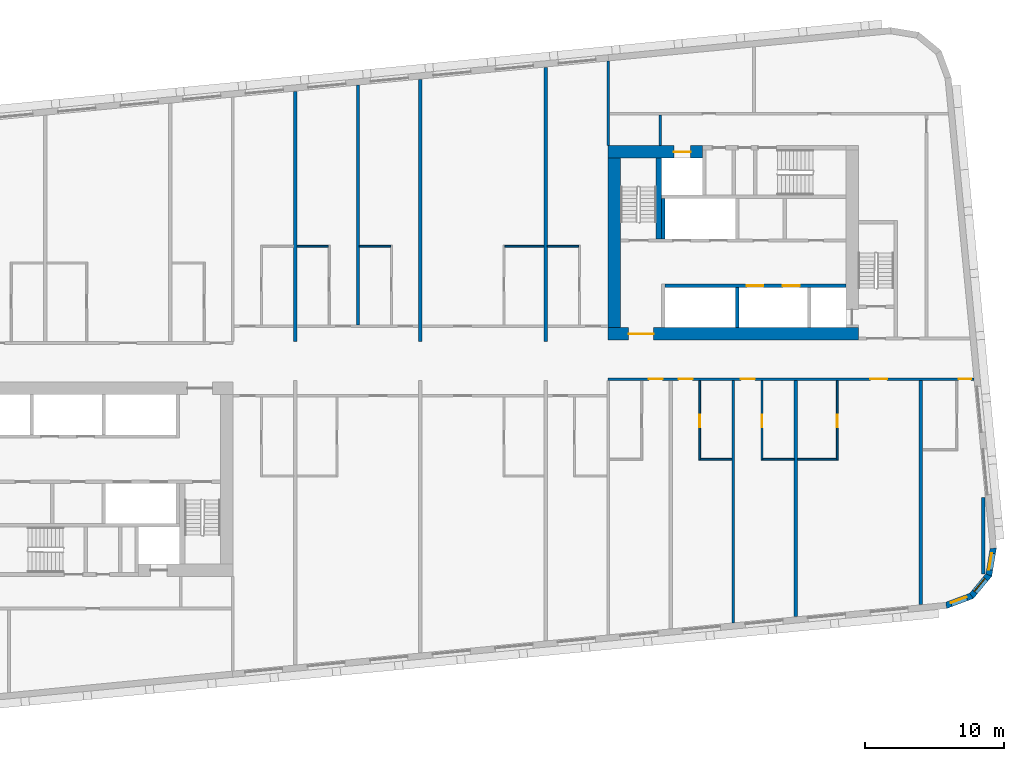
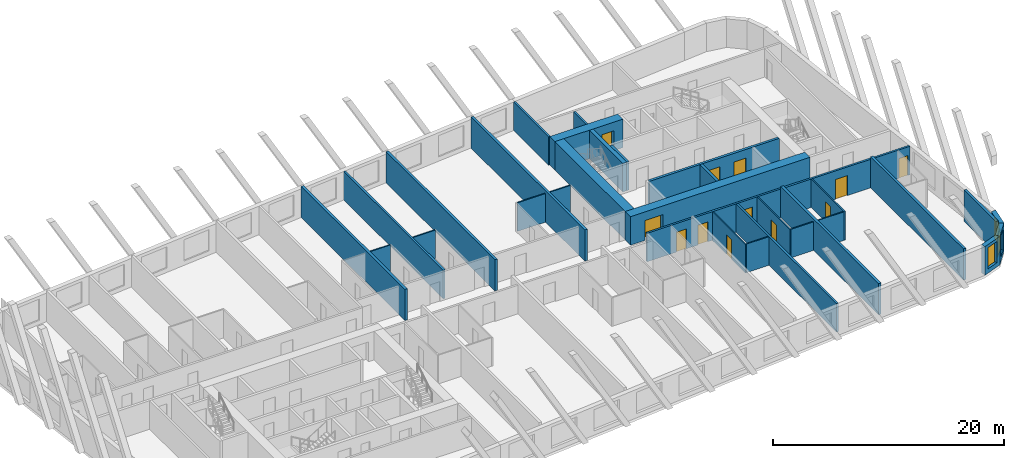
# One storey, part 6 of 13: 31 walls, 12 doors, 3 windows, 15 openings.
"""IFC4 building model written with IfcOpenShell, lengths in metres."""

from ifc_helpers import new_model, si_unit, direction, frame, frame_2d, origin, place, context, subcontext, project, spatial, polyline, rectangle, outline, extrude, material, layer, layer_set, type_object, element, fill, save


model = new_model("IFC4")

# Units and contexts
model_context = context("Model", 3, precision=1e-05, world=origin(), true_north=direction((0.0, 1.0)))
body_context = subcontext(model_context, "Body", "Model", "MODEL_VIEW")
ifc_project = project(units=[si_unit("LENGTHUNIT", "METRE"), si_unit("AREAUNIT", "SQUARE_METRE"), si_unit("VOLUMEUNIT", "CUBIC_METRE"), si_unit("PLANEANGLEUNIT", "RADIAN"), si_unit("MASSUNIT", "GRAM", prefix="KILO")], contexts=[model_context])

# Site, building, storey
site_placement = place(None, origin())
site = spatial("IfcSite", under=ifc_project, at=site_placement, CompositionType="ELEMENT")
building_placement = place(site_placement, origin())
building = spatial("IfcBuilding", under=site, at=building_placement, Name="Kajstack Hotel Tower", CompositionType="ELEMENT")
storey_placement = place(building_placement, frame((0.0, 0.0, 166.89990234375)))
storey = spatial("IfcBuildingStorey", under=building, at=storey_placement, Name="L38", CompositionType="ELEMENT", Elevation=166.89990234375)

# Wall, opening, door
ifc_material_1 = material(Name="Concrete C60/75", Category="concrete")
ifc_layer_1 = layer(ifc_material_1, 0.89990234375)
ifc_layer_set_1 = layer_set([ifc_layer_1], Name="Core wall 900")
wall_type_1 = type_object("IfcWallType", Name="Core wall 900", PredefinedType="SHEAR", material=ifc_layer_set_1)
wall_1_placement = place(storey_placement, frame((13.5, 1.949951171875, 0.0), z_axis=(0.0, 0.0, 1.0), x_axis=(1.0, 0.0, 0.0)))
wall_1 = element("IfcWall", 1, at=wall_1_placement, inside=storey, type_object=wall_type_1, Name="Core wall E RN", PredefinedType="SHEAR", context=body_context, shape_type="SweptSolid", body=[
    extrude(rectangle(XDim=18.0, YDim=0.89990234375, at=frame_2d((9.0, 0.0))), origin(), (0.0, 0.0, 1.0), 3.02001953125),
])
opening_1_placement = place(wall_1_placement, frame((1.47509765625, 0.0, 0.0)))
opening_1 = element("IfcOpeningElement", 2, at=opening_1_placement, cuts=wall_1, Name="Opening 38E07", PredefinedType="OPENING", context=body_context, shape_type="SweptSolid", body=[
    extrude(rectangle(XDim=1.800048828125, YDim=2.10009765625, at=frame_2d((0.89990234375, 1.050048828125))), frame((0.0, 0.4599609375, 0.0), z_axis=(0.0, -1.0, 0.0), x_axis=(1.0, 0.0, 0.0)), (0.0, 0.0, 1.0), 0.919921875),
])
ifc_material_2 = material(Name="Glazed steel frame, fire-rated glass", Category="steel")
door_type_1 = type_object("IfcDoorType", Name="Lobby double door 1800", OperationType="DOUBLE_DOOR_DOUBLE_SWING", PredefinedType="DOOR", material=ifc_material_2)
door_1_placement = place(opening_1_placement, origin())
door_1 = element("IfcDoor", 3, at=door_1_placement, inside=storey, type_object=door_type_1, Name="Door 38E07", OperationType="DOUBLE_DOOR_DOUBLE_SWING", OverallHeight=2.10009765625, OverallWidth=1.800048828125, PredefinedType="DOOR", context=body_context, shape_type="SweptSolid", body=[
    extrude(rectangle(XDim=1.800048828125, YDim=2.10009765625, at=frame_2d((0.89990234375, 1.050048828125))), frame((0.0, 0.02490234375, 0.0), z_axis=(0.0, -1.0, 0.0), x_axis=(1.0, 0.0, 0.0)), (0.0, 0.0, 1.0), 0.050048828125),
])
fill(opening_1, door_1)

wall_2_placement = place(storey_placement, frame((13.5, 15.050048828125, 0.0), z_axis=(0.0, 0.0, 1.0), x_axis=(1.0, 0.0, 0.0)))
wall_2 = element("IfcWall", 4, at=wall_2_placement, inside=storey, type_object=wall_type_1, Name="Core wall E RS", PredefinedType="SHEAR", context=body_context, shape_type="SweptSolid", body=[
    extrude(rectangle(XDim=6.800048828125, YDim=0.89990234375, at=frame_2d((3.39990234375, 0.0))), origin(), (0.0, 0.0, 1.0), 3.02001953125),
])
opening_2_placement = place(wall_2_placement, frame((4.72509765625, 0.0, 0.0)))
opening_2 = element("IfcOpeningElement", 5, at=opening_2_placement, cuts=wall_2, Name="Opening LD-SV2", PredefinedType="OPENING", context=body_context, shape_type="SweptSolid", body=[
    extrude(rectangle(XDim=1.199951171875, YDim=2.10009765625, at=frame_2d((0.60009765625, 1.050048828125))), frame((0.0, 0.4599609375, 0.0), z_axis=(0.0, -1.0, 0.0), x_axis=(1.0, 0.0, 0.0)), (0.0, 0.0, 1.0), 0.919921875),
])
ifc_material_3 = material(Name="Stainless steel", Category="steel")
door_type_2 = type_object("IfcDoorType", Name="Lift landing door 1200", OperationType="SLIDING_TO_LEFT", PredefinedType="DOOR", material=ifc_material_3)
door_2_placement = place(opening_2_placement, origin())
door_2 = element("IfcDoor", 6, at=door_2_placement, inside=storey, type_object=door_type_2, Name="Landing door SV2", OperationType="SLIDING_TO_LEFT", OverallHeight=2.10009765625, OverallWidth=1.199951171875, PredefinedType="DOOR", context=body_context, shape_type="SweptSolid", body=[
    extrude(rectangle(XDim=1.199951171875, YDim=2.10009765625, at=frame_2d((0.60009765625, 1.050048828125))), frame((0.0, 0.02490234375, 0.0), z_axis=(0.0, -1.0, 0.0), x_axis=(1.0, 0.0, 0.0)), (0.0, 0.0, 1.0), 0.050048828125),
])
fill(opening_2, door_2)

# Wall
wall_3_placement = place(storey_placement, frame((13.949951171875, 2.39990234375, 0.0), z_axis=(0.0, 0.0, 1.0), x_axis=(0.0, 1.0, 0.0)))
element("IfcWall", 7, at=wall_3_placement, inside=storey, type_object=wall_type_1, Name="Core wall E RE", PredefinedType="SHEAR", context=body_context, shape_type="SweptSolid", body=[
    extrude(rectangle(XDim=12.2001953125, YDim=0.89990234375, at=frame_2d((6.10009765625, 0.0))), origin(), (0.0, 0.0, 1.0), 3.02001953125),
])

# Wall, openings, doors
ifc_material_4 = material(Name="Gypsum board on steel studs, mineral wool", Category="steel")
ifc_layer_2 = layer(ifc_material_4, 0.199951171875)
ifc_layer_set_2 = layer_set([ifc_layer_2], Name="Corridor wall 200")
wall_type_2 = type_object("IfcWallType", Name="Corridor wall 200", PredefinedType="PARTITIONING", material=ifc_layer_set_2)
wall_4_placement = place(storey_placement, frame((13.5, -1.300048828125, 0.0), z_axis=(0.0, 0.0, 1.0), x_axis=(1.0, 0.0, 0.0)))
wall_4 = element("IfcWall", 8, at=wall_4_placement, inside=storey, type_object=wall_type_2, Name="G-wall-L38-032", PredefinedType="PARTITIONING", context=body_context, shape_type="SweptSolid", body=[
    extrude(rectangle(XDim=26.31689453125, YDim=0.199951171875, at=frame_2d((13.158447265625, 0.0))), origin(), (0.0, 0.0, 1.0), 3.02001953125),
])
opening_3_placement = place(wall_4_placement, frame((2.925048828125, 0.0, 0.0)))
opening_3 = element("IfcOpeningElement", 9, at=opening_3_placement, cuts=wall_4, Name="Opening 38031", PredefinedType="OPENING", context=body_context, shape_type="SweptSolid", body=[
    extrude(rectangle(XDim=1.0, YDim=2.10009765625, at=frame_2d((0.5, 1.050048828125))), frame((0.0, 0.10986328125, 0.0), z_axis=(0.0, -1.0, 0.0), x_axis=(1.0, 0.0, 0.0)), (0.0, 0.0, 1.0), 0.219970703125),
])
opening_4_placement = place(wall_4_placement, frame((5.074951171875, 0.0, 0.0)))
opening_4 = element("IfcOpeningElement", 10, at=opening_4_placement, cuts=wall_4, Name="Opening 38033", PredefinedType="OPENING", context=body_context, shape_type="SweptSolid", body=[
    extrude(rectangle(XDim=1.0, YDim=2.10009765625, at=frame_2d((0.5, 1.050048828125))), frame((0.0, 0.10986328125, 0.0), z_axis=(0.0, -1.0, 0.0), x_axis=(1.0, 0.0, 0.0)), (0.0, 0.0, 1.0), 0.219970703125),
])
opening_5_placement = place(wall_4_placement, frame((9.550048828125, 0.0, 0.0)))
opening_5 = element("IfcOpeningElement", 11, at=opening_5_placement, cuts=wall_4, Name="Opening 38035", PredefinedType="OPENING", context=body_context, shape_type="SweptSolid", body=[
    extrude(rectangle(XDim=1.0, YDim=2.10009765625, at=frame_2d((0.5, 1.050048828125))), frame((0.0, 0.10986328125, 0.0), z_axis=(0.0, -1.0, 0.0), x_axis=(1.0, 0.0, 0.0)), (0.0, 0.0, 1.0), 0.219970703125),
])
opening_6_placement = place(wall_4_placement, frame((18.862060546875, 0.0, 0.0)))
opening_6 = element("IfcOpeningElement", 12, at=opening_6_placement, cuts=wall_4, Name="Opening 38037", PredefinedType="OPENING", context=body_context, shape_type="SweptSolid", body=[
    extrude(rectangle(XDim=1.199951171875, YDim=2.10009765625, at=frame_2d((0.60009765625, 1.050048828125))), frame((0.0, 0.10986328125, 0.0), z_axis=(0.0, -1.0, 0.0), x_axis=(1.0, 0.0, 0.0)), (0.0, 0.0, 1.0), 0.219970703125),
])
opening_7_placement = place(wall_4_placement, frame((25.2080078125, 0.0, 0.0)))
opening_7 = element("IfcOpeningElement", 13, at=opening_7_placement, cuts=wall_4, Name="Opening 38039", PredefinedType="OPENING", context=body_context, shape_type="SweptSolid", body=[
    extrude(rectangle(XDim=0.89990234375, YDim=2.10009765625, at=frame_2d((0.449951171875, 1.050048828125))), frame((0.0, 0.10986328125, 0.0), z_axis=(0.0, -1.0, 0.0), x_axis=(1.0, 0.0, 0.0)), (0.0, 0.0, 1.0), 0.219970703125),
])
ifc_material_5 = material(Name="Oak veneer on timber core, fire-rated leaf", Category="wood")
door_type_3 = type_object("IfcDoorType", Name="Flat entrance door 1000", OperationType="SINGLE_SWING_LEFT", PredefinedType="DOOR", material=ifc_material_5)
door_3_placement = place(opening_3_placement, origin())
door_3 = element("IfcDoor", 14, at=door_3_placement, inside=storey, type_object=door_type_3, Name="G-door-L38-31", OperationType="SINGLE_SWING_LEFT", OverallHeight=2.10009765625, OverallWidth=1.0, PredefinedType="DOOR", context=body_context, shape_type="SweptSolid", body=[
    extrude(rectangle(XDim=1.0, YDim=2.10009765625, at=frame_2d((0.5, 1.050048828125))), frame((0.0, 0.02490234375, 0.0), z_axis=(0.0, -1.0, 0.0), x_axis=(1.0, 0.0, 0.0)), (0.0, 0.0, 1.0), 0.050048828125),
])
fill(opening_3, door_3)
door_4_placement = place(opening_4_placement, origin())
door_4 = element("IfcDoor", 15, at=door_4_placement, inside=storey, type_object=door_type_3, Name="G-door-L38-33", OperationType="SINGLE_SWING_LEFT", OverallHeight=2.10009765625, OverallWidth=1.0, PredefinedType="DOOR", context=body_context, shape_type="SweptSolid", body=[
    extrude(rectangle(XDim=1.0, YDim=2.10009765625, at=frame_2d((0.5, 1.050048828125))), frame((0.0, 0.02490234375, 0.0), z_axis=(0.0, -1.0, 0.0), x_axis=(1.0, 0.0, 0.0)), (0.0, 0.0, 1.0), 0.050048828125),
])
fill(opening_4, door_4)
door_5_placement = place(opening_5_placement, origin())
door_5 = element("IfcDoor", 16, at=door_5_placement, inside=storey, type_object=door_type_3, Name="G-door-L38-35", OperationType="SINGLE_SWING_LEFT", OverallHeight=2.10009765625, OverallWidth=1.0, PredefinedType="DOOR", context=body_context, shape_type="SweptSolid", body=[
    extrude(rectangle(XDim=1.0, YDim=2.10009765625, at=frame_2d((0.5, 1.050048828125))), frame((0.0, 0.02490234375, 0.0), z_axis=(0.0, -1.0, 0.0), x_axis=(1.0, 0.0, 0.0)), (0.0, 0.0, 1.0), 0.050048828125),
])
fill(opening_5, door_5)
door_type_4 = type_object("IfcDoorType", Name="Flat entrance door 1200", OperationType="SINGLE_SWING_LEFT", PredefinedType="DOOR", material=ifc_material_5)
door_6_placement = place(opening_6_placement, origin())
door_6 = element("IfcDoor", 17, at=door_6_placement, inside=storey, type_object=door_type_4, Name="G-door-L38-37", OperationType="SINGLE_SWING_LEFT", OverallHeight=2.10009765625, OverallWidth=1.199951171875, PredefinedType="DOOR", context=body_context, shape_type="SweptSolid", body=[
    extrude(rectangle(XDim=1.199951171875, YDim=2.10009765625, at=frame_2d((0.60009765625, 1.050048828125))), frame((0.0, 0.02490234375, 0.0), z_axis=(0.0, -1.0, 0.0), x_axis=(1.0, 0.0, 0.0)), (0.0, 0.0, 1.0), 0.050048828125),
])
fill(opening_6, door_6)
ifc_material_6 = material(Name="Painted timber door leaf", Category="wood")
door_type_5 = type_object("IfcDoorType", Name="Room door 900", OperationType="SINGLE_SWING_LEFT", PredefinedType="DOOR", material=ifc_material_6)
door_7_placement = place(opening_7_placement, origin())
door_7 = element("IfcDoor", 18, at=door_7_placement, inside=storey, type_object=door_type_5, Name="G-door-L38-39", OperationType="SINGLE_SWING_LEFT", OverallHeight=2.10009765625, OverallWidth=0.89990234375, PredefinedType="DOOR", context=body_context, shape_type="SweptSolid", body=[
    extrude(rectangle(XDim=0.89990234375, YDim=2.10009765625, at=frame_2d((0.449951171875, 1.050048828125))), frame((0.0, 0.02490234375, 0.0), z_axis=(0.0, -1.0, 0.0), x_axis=(1.0, 0.0, 0.0)), (0.0, 0.0, 1.0), 0.050048828125),
])
fill(opening_7, door_7)

# Walls
ifc_material_7 = material(Name="Twin-frame gypsum board on steel studs, mineral wool", Category="steel")
ifc_layer_3 = layer(ifc_material_7, 0.199951171875)
ifc_layer_set_3 = layer_set([ifc_layer_3], Name="Demising wall 200")
wall_type_3 = type_object("IfcWallType", Name="Demising wall 200", PredefinedType="PARTITIONING", material=ifc_layer_set_3)
wall_5_placement = place(storey_placement, frame((13.5, 15.5, 0.0), z_axis=(0.0, 0.0, 1.0), x_axis=(0.0, 1.0, 0.0)))
element("IfcWall", 19, at=wall_5_placement, inside=storey, type_object=wall_type_3, Name="G-wall-L38-001", PredefinedType="PARTITIONING", context=body_context, shape_type="SweptSolid", body=[
    extrude(rectangle(XDim=6.089111328125, YDim=0.199951171875, at=frame_2d((3.04443359375, 0.0))), origin(), (0.0, 0.0, 1.0), 3.02001953125),
])
wall_6_placement = place(storey_placement, frame((-4.5, 2.60009765625, 0.0), z_axis=(0.0, 0.0, 1.0), x_axis=(0.0, 1.0, 0.0)))
element("IfcWall", 20, at=wall_6_placement, inside=storey, type_object=wall_type_3, Name="G-wall-L38-022", PredefinedType="PARTITIONING", context=body_context, shape_type="SweptSolid", body=[
    extrude(rectangle(XDim=17.255859375, YDim=0.199951171875, at=frame_2d((8.6279296875, 0.0))), origin(), (0.0, 0.0, 1.0), 3.02001953125),
])
wall_7_placement = place(storey_placement, frame((22.5, -18.833984375, 0.0), z_axis=(0.0, 0.0, 1.0), x_axis=(0.0, 1.0, 0.0)))
element("IfcWall", 21, at=wall_7_placement, inside=storey, type_object=wall_type_3, Name="G-wall-L38-044", PredefinedType="PARTITIONING", context=body_context, shape_type="SweptSolid", body=[
    extrude(rectangle(XDim=17.43408203125, YDim=0.199951171875, at=frame_2d((8.717041015625, 0.0))), origin(), (0.0, 0.0, 1.0), 3.02001953125),
])

# Wall, opening, window
ifc_material_8 = material(Name="Terracotta-faced brick masonry", Category="masonry")
ifc_layer_4 = layer(ifc_material_8, 0.449951171875)
ifc_layer_set_4 = layer_set([ifc_layer_4], Name="EW-TERRA")
wall_type_4 = type_object("IfcWallType", Name="EW-TERRA", PredefinedType="SOLIDWALL", material=ifc_layer_set_4)
wall_8_placement = place(storey_placement, frame((37.76123046875, -17.598388671875, 0.0), z_axis=(0.0, 0.0, 1.0), x_axis=(0.936677599948, 0.350192909346, 0.0)))
wall_8 = element("IfcWall", 22, at=wall_8_placement, inside=storey, type_object=wall_type_4, Name="E-wall-L38-05-00", PredefinedType="SOLIDWALL", context=body_context, shape_type="SweptSolid", body=[
    extrude(outline(polyline([(0.0, -0.22509765625), (2.070556640625, -0.224853515625), (1.949951171875, 0.22509765625), (0.12060546875, 0.22509765625), (0.0, -0.22509765625)])), origin(), (0.0, 0.0, 1.0), 3.02001953125),
])
opening_8_placement = place(wall_8_placement, frame((0.435302734375, 0.0, 0.449951171875)))
opening_8 = element("IfcOpeningElement", 23, at=opening_8_placement, cuts=wall_8, Name="Opening W3", PredefinedType="OPENING", context=body_context, shape_type="SweptSolid", body=[
    extrude(rectangle(XDim=1.199951171875, YDim=2.25, at=frame_2d((0.60009765625, 1.125))), frame((0.0, 0.23486328125, 0.0), z_axis=(0.0, -1.0, 0.0), x_axis=(1.0, 0.0, 0.0)), (0.0, 0.0, 1.0), 0.469970703125),
])
ifc_material_9 = material(Name="Timber-aluminium window, triple glazed", Category="wood")
window_type = type_object("IfcWindowType", Name="WG3", PartitioningType="SINGLE_PANEL", PredefinedType="WINDOW", material=ifc_material_9)
window_1_placement = place(opening_8_placement, origin())
window_1 = element("IfcWindow", 24, at=window_1_placement, inside=storey, type_object=window_type, Name="Window W3 L38-05", OverallHeight=2.25, OverallWidth=1.199951171875, PartitioningType="SINGLE_PANEL", PredefinedType="WINDOW", context=body_context, shape_type="SweptSolid", body=[
    extrude(rectangle(XDim=1.199951171875, YDim=2.25, at=frame_2d((0.60009765625, 1.125))), frame((0.0, 0.090087890625, 0.0), z_axis=(0.0, -1.0, 0.0), x_axis=(1.0, 0.0, 0.0)), (0.0, 0.0, 1.0), 0.06005859375),
])
fill(opening_8, window_1)

wall_9_placement = place(storey_placement, frame((39.60595703125, -16.94091796875, 0.0), z_axis=(0.0, 0.0, 1.0), x_axis=(0.636116318187, 0.771593176315, 0.0)))
wall_9 = element("IfcWall", 25, at=wall_9_placement, inside=storey, type_object=wall_type_4, Name="E-wall-L38-06-00", PredefinedType="SOLIDWALL", context=body_context, shape_type="SweptSolid", body=[
    extrude(outline(polyline([(0.0, -0.224853515625), (2.070556640625, -0.224853515625), (1.949951171875, 0.22509765625), (0.12060546875, 0.22509765625), (0.0, -0.224853515625)])), origin(), (0.0, 0.0, 1.0), 3.02001953125),
])
opening_9_placement = place(wall_9_placement, frame((0.435302734375, 0.0, 0.449951171875)))
opening_9 = element("IfcOpeningElement", 26, at=opening_9_placement, cuts=wall_9, Name="Opening W3", PredefinedType="OPENING", context=body_context, shape_type="SweptSolid", body=[
    extrude(rectangle(XDim=1.199951171875, YDim=2.25, at=frame_2d((0.60009765625, 1.125))), frame((0.0, 0.23486328125, 0.0), z_axis=(0.0, -1.0, 0.0), x_axis=(1.0, 0.0, 0.0)), (0.0, 0.0, 1.0), 0.469970703125),
])
window_2_placement = place(opening_9_placement, origin())
window_2 = element("IfcWindow", 27, at=window_2_placement, inside=storey, type_object=window_type, Name="Window W3 L38-06", OverallHeight=2.25, OverallWidth=1.199951171875, PartitioningType="SINGLE_PANEL", PredefinedType="WINDOW", context=body_context, shape_type="SweptSolid", body=[
    extrude(rectangle(XDim=1.199951171875, YDim=2.25, at=frame_2d((0.60009765625, 1.125))), frame((0.0, 0.090087890625, 0.0), z_axis=(0.0, -1.0, 0.0), x_axis=(1.0, 0.0, 0.0)), (0.0, 0.0, 1.0), 0.06005859375),
])
fill(opening_9, window_2)

wall_10_placement = place(storey_placement, frame((40.874755859375, -15.44921875, 0.0), z_axis=(0.0, 0.0, 1.0), x_axis=(0.164953448126, 0.986301353518, 0.0)))
wall_10 = element("IfcWall", 28, at=wall_10_placement, inside=storey, type_object=wall_type_4, Name="E-wall-L38-07-00", PredefinedType="SOLIDWALL", context=body_context, shape_type="SweptSolid", body=[
    extrude(outline(polyline([(0.0, -0.224853515625), (2.070556640625, -0.22509765625), (1.9501953125, 0.224853515625), (0.12060546875, 0.22509765625), (0.0, -0.224853515625)])), origin(), (0.0, 0.0, 1.0), 3.02001953125),
])
opening_10_placement = place(wall_10_placement, frame((0.435302734375, 0.0, 0.449951171875)))
opening_10 = element("IfcOpeningElement", 29, at=opening_10_placement, cuts=wall_10, Name="Opening W3", PredefinedType="OPENING", context=body_context, shape_type="SweptSolid", body=[
    extrude(rectangle(XDim=1.199951171875, YDim=2.25, at=frame_2d((0.60009765625, 1.125))), frame((0.0, 0.23486328125, 0.0), z_axis=(0.0, -1.0, 0.0), x_axis=(1.0, 0.0, 0.0)), (0.0, 0.0, 1.0), 0.469970703125),
])
window_3_placement = place(opening_10_placement, origin())
window_3 = element("IfcWindow", 30, at=window_3_placement, inside=storey, type_object=window_type, Name="Window W3 L38-07", OverallHeight=2.25, OverallWidth=1.199951171875, PartitioningType="SINGLE_PANEL", PredefinedType="WINDOW", context=body_context, shape_type="SweptSolid", body=[
    extrude(rectangle(XDim=1.199951171875, YDim=2.25, at=frame_2d((0.60009765625, 1.125))), frame((0.0, 0.090087890625, 0.0), z_axis=(0.0, -1.0, 0.0), x_axis=(1.0, 0.0, 0.0)), (0.0, 0.0, 1.0), 0.06005859375),
])
fill(opening_10, window_3)

# Walls
ifc_material_10 = material(Name="Gypsum board and tiled backer on steel studs", Category="steel")
ifc_layer_5 = layer(ifc_material_10, 0.125)
ifc_layer_set_5 = layer_set([ifc_layer_5], Name="En-suite wall 125")
wall_type_5 = type_object("IfcWallType", Name="En-suite wall 125", PredefinedType="PARTITIONING", material=ifc_layer_set_5)
for number, where, z_axis, x_axis, name in (
    (31, (-8.875, 8.261962890625, 0.0), (0.0, 0.0, 1.0), (1.0, 0.0, 0.0), "G-wall-L38-024"),
    (32, (-4.39990234375, 8.261962890625, 0.0), (0.0, 0.0, 1.0), (1.0, 0.0, 0.0), "G-wall-L38-026"),
):
    element("IfcWall", number, at=place(storey_placement, frame(where, z_axis=z_axis, x_axis=x_axis)), inside=storey, type_object=wall_type_5, Name=name, PredefinedType="PARTITIONING", context=body_context, shape_type="SweptSolid", body=[
        extrude(rectangle(XDim=2.25, YDim=0.125, at=frame_2d((1.125, 0.0))), origin(), (0.0, 0.0, 1.0), 3.02001953125),
    ])
wall_11_placement = place(storey_placement, frame((6.074951171875, 8.261962890625, 0.0), z_axis=(0.0, 0.0, 1.0), x_axis=(1.0, 0.0, 0.0)))
element("IfcWall", 33, at=wall_11_placement, inside=storey, type_object=wall_type_5, Name="G-wall-L38-028", PredefinedType="PARTITIONING", context=body_context, shape_type="SweptSolid", body=[
    extrude(rectangle(XDim=2.800048828125, YDim=0.125, at=frame_2d((1.39990234375, 0.0))), origin(), (0.0, 0.0, 1.0), 3.02001953125),
])
wall_12_placement = place(storey_placement, frame((9.125, 8.261962890625, 0.0), z_axis=(0.0, 0.0, 1.0), x_axis=(1.0, 0.0, 0.0)))
element("IfcWall", 34, at=wall_12_placement, inside=storey, type_object=wall_type_5, Name="G-wall-L38-030", PredefinedType="PARTITIONING", context=body_context, shape_type="SweptSolid", body=[
    extrude(rectangle(XDim=2.25, YDim=0.125, at=frame_2d((1.125, 0.0))), origin(), (0.0, 0.0, 1.0), 3.02001953125),
])

# Wall, opening, door
wall_13_placement = place(storey_placement, frame((20.0869140625, -7.125, 0.0), z_axis=(0.0, 0.0, 1.0), x_axis=(0.0, 1.0, 0.0)))
wall_13 = element("IfcWall", 35, at=wall_13_placement, inside=storey, type_object=wall_type_5, Name="G-wall-L38-045", PredefinedType="PARTITIONING", context=body_context, shape_type="SweptSolid", body=[
    extrude(rectangle(XDim=5.72509765625, YDim=0.125, at=frame_2d((2.862548828125, 0.0))), origin(), (0.0, 0.0, 1.0), 3.02001953125),
])
opening_11_placement = place(wall_13_placement, frame((2.375, 0.0, 0.0)))
opening_11 = element("IfcOpeningElement", 36, at=opening_11_placement, cuts=wall_13, Name="Opening 38034", PredefinedType="OPENING", context=body_context, shape_type="SweptSolid", body=[
    extrude(rectangle(XDim=0.89990234375, YDim=2.10009765625, at=frame_2d((0.449951171875, 1.050048828125))), frame((0.0, 0.072509765625, 0.0), z_axis=(0.0, -1.0, 0.0), x_axis=(1.0, 0.0, 0.0)), (0.0, 0.0, 1.0), 0.14501953125),
])
door_8_placement = place(opening_11_placement, origin())
door_8 = element("IfcDoor", 37, at=door_8_placement, inside=storey, type_object=door_type_5, Name="G-door-L38-34", OperationType="SINGLE_SWING_RIGHT", OverallHeight=2.10009765625, OverallWidth=0.89990234375, PredefinedType="DOOR", context=body_context, shape_type="SweptSolid", body=[
    extrude(rectangle(XDim=0.89990234375, YDim=2.10009765625, at=frame_2d((0.449951171875, 1.050048828125))), frame((0.0, 0.02490234375, 0.0), z_axis=(0.0, -1.0, 0.0), x_axis=(1.0, 0.0, 0.0)), (0.0, 0.0, 1.0), 0.050048828125),
])
fill(opening_11, door_8)

# Wall
wall_14_placement = place(storey_placement, frame((20.14990234375, -7.06201171875, 0.0), z_axis=(0.0, 0.0, 1.0), x_axis=(1.0, 0.0, 0.0)))
element("IfcWall", 38, at=wall_14_placement, inside=storey, type_object=wall_type_5, Name="G-wall-L38-046", PredefinedType="PARTITIONING", context=body_context, shape_type="SweptSolid", body=[
    extrude(rectangle(XDim=2.25, YDim=0.125, at=frame_2d((1.125, 0.0))), origin(), (0.0, 0.0, 1.0), 3.02001953125),
])

# Wall, opening, door
wall_15_placement = place(storey_placement, frame((24.56201171875, -7.125, 0.0), z_axis=(0.0, 0.0, 1.0), x_axis=(0.0, 1.0, 0.0)))
wall_15 = element("IfcWall", 39, at=wall_15_placement, inside=storey, type_object=wall_type_5, Name="G-wall-L38-047", PredefinedType="PARTITIONING", context=body_context, shape_type="SweptSolid", body=[
    extrude(rectangle(XDim=5.72509765625, YDim=0.125, at=frame_2d((2.862548828125, 0.0))), origin(), (0.0, 0.0, 1.0), 3.02001953125),
])
opening_12_placement = place(wall_15_placement, frame((2.375, 0.0, 0.0)))
opening_12 = element("IfcOpeningElement", 40, at=opening_12_placement, cuts=wall_15, Name="Opening 38036", PredefinedType="OPENING", context=body_context, shape_type="SweptSolid", body=[
    extrude(rectangle(XDim=0.89990234375, YDim=2.10009765625, at=frame_2d((0.449951171875, 1.050048828125))), frame((0.0, 0.072509765625, 0.0), z_axis=(0.0, -1.0, 0.0), x_axis=(1.0, 0.0, 0.0)), (0.0, 0.0, 1.0), 0.14501953125),
])
door_9_placement = place(opening_12_placement, origin())
door_9 = element("IfcDoor", 41, at=door_9_placement, inside=storey, type_object=door_type_5, Name="G-door-L38-36", OperationType="SINGLE_SWING_LEFT", OverallHeight=2.10009765625, OverallWidth=0.89990234375, PredefinedType="DOOR", context=body_context, shape_type="SweptSolid", body=[
    extrude(rectangle(XDim=0.89990234375, YDim=2.10009765625, at=frame_2d((0.449951171875, 1.050048828125))), frame((0.0, 0.02490234375, 0.0), z_axis=(0.0, -1.0, 0.0), x_axis=(1.0, 0.0, 0.0)), (0.0, 0.0, 1.0), 0.050048828125),
])
fill(opening_12, door_9)

# Wall
wall_16_placement = place(storey_placement, frame((24.625, -7.06201171875, 0.0), z_axis=(0.0, 0.0, 1.0), x_axis=(1.0, 0.0, 0.0)))
element("IfcWall", 42, at=wall_16_placement, inside=storey, type_object=wall_type_5, Name="G-wall-L38-048", PredefinedType="PARTITIONING", context=body_context, shape_type="SweptSolid", body=[
    extrude(rectangle(XDim=2.25, YDim=0.125, at=frame_2d((1.125, 0.0))), origin(), (0.0, 0.0, 1.0), 3.02001953125),
])

# Wall, opening, door
wall_17_placement = place(storey_placement, frame((29.988037109375, -7.125, 0.0), z_axis=(0.0, 0.0, 1.0), x_axis=(0.0, 1.0, 0.0)))
wall_17 = element("IfcWall", 43, at=wall_17_placement, inside=storey, type_object=wall_type_5, Name="G-wall-L38-049", PredefinedType="PARTITIONING", context=body_context, shape_type="SweptSolid", body=[
    extrude(rectangle(XDim=5.72509765625, YDim=0.125, at=frame_2d((2.862548828125, 0.0))), origin(), (0.0, 0.0, 1.0), 3.02001953125),
])
opening_13_placement = place(wall_17_placement, frame((2.375, 0.0, 0.0)))
opening_13 = element("IfcOpeningElement", 44, at=opening_13_placement, cuts=wall_17, Name="Opening 38038", PredefinedType="OPENING", context=body_context, shape_type="SweptSolid", body=[
    extrude(rectangle(XDim=0.89990234375, YDim=2.10009765625, at=frame_2d((0.449951171875, 1.050048828125))), frame((0.0, 0.072509765625, 0.0), z_axis=(0.0, -1.0, 0.0), x_axis=(1.0, 0.0, 0.0)), (0.0, 0.0, 1.0), 0.14501953125),
])
door_10_placement = place(opening_13_placement, origin())
door_10 = element("IfcDoor", 45, at=door_10_placement, inside=storey, type_object=door_type_5, Name="G-door-L38-38", OperationType="SINGLE_SWING_LEFT", OverallHeight=2.10009765625, OverallWidth=0.89990234375, PredefinedType="DOOR", context=body_context, shape_type="SweptSolid", body=[
    extrude(rectangle(XDim=0.89990234375, YDim=2.10009765625, at=frame_2d((0.449951171875, 1.050048828125))), frame((0.0, 0.02490234375, 0.0), z_axis=(0.0, -1.0, 0.0), x_axis=(1.0, 0.0, 0.0)), (0.0, 0.0, 1.0), 0.050048828125),
])
fill(opening_13, door_10)

# Walls
wall_18_placement = place(storey_placement, frame((27.125, -7.06201171875, 0.0), z_axis=(0.0, 0.0, 1.0), x_axis=(1.0, 0.0, 0.0)))
element("IfcWall", 46, at=wall_18_placement, inside=storey, type_object=wall_type_5, Name="G-wall-L38-050", PredefinedType="PARTITIONING", context=body_context, shape_type="SweptSolid", body=[
    extrude(rectangle(XDim=2.800048828125, YDim=0.125, at=frame_2d((1.39990234375, 0.0))), origin(), (0.0, 0.0, 1.0), 3.02001953125),
])
ifc_material_11 = material(Name="Concrete C50/60", Category="concrete")
ifc_layer_6 = layer(ifc_material_11, 0.300048828125)
ifc_layer_set_6 = layer_set([ifc_layer_6], Name="Hoistway divider wall 300")
wall_type_6 = type_object("IfcWallType", Name="Hoistway divider wall 300", PredefinedType="SHEAR", material=ifc_layer_set_6)
wall_19_placement = place(storey_placement, frame((22.77490234375, 2.39990234375, 0.0), z_axis=(0.0, 0.0, 1.0), x_axis=(0.0, 1.0, 0.0)))
element("IfcWall", 47, at=wall_19_placement, inside=storey, type_object=wall_type_6, Name="Core wall E AP2", PredefinedType="SHEAR", context=body_context, shape_type="SweptSolid", body=[
    extrude(rectangle(XDim=2.900146484375, YDim=0.25, at=frame_2d((1.4501953125, 0.0))), origin(), (0.0, 0.0, 1.0), 3.02001953125),
])
ifc_layer_7 = layer(ifc_material_11, 0.25)
ifc_layer_set_7 = layer_set([ifc_layer_7], Name="RC cross wall 250 C50/60")
wall_type_7 = type_object("IfcWallType", Name="RC cross wall 250 C50/60", PredefinedType="SHEAR", material=ifc_layer_set_7)
wall_20_placement = place(storey_placement, frame((-9.0, 1.39990234375, 0.0), z_axis=(0.0, 0.0, 1.0), x_axis=(0.0, 1.0, 0.0)))
element("IfcWall", 48, at=wall_20_placement, inside=storey, type_object=wall_type_7, Name="S-wall-L38-05", PredefinedType="SHEAR", context=body_context, shape_type="SweptSolid", body=[
    extrude(rectangle(XDim=18.0009765625, YDim=0.25, at=frame_2d((9.00048828125, 0.0))), origin(), (0.0, 0.0, 1.0), 3.300048828125),
])
wall_21_placement = place(storey_placement, frame((0.0, 1.39990234375, 0.0), z_axis=(0.0, 0.0, 1.0), x_axis=(0.0, 1.0, 0.0)))
element("IfcWall", 49, at=wall_21_placement, inside=storey, type_object=wall_type_7, Name="S-wall-L38-07", PredefinedType="SHEAR", context=body_context, shape_type="SweptSolid", body=[
    extrude(rectangle(XDim=18.867431640625, YDim=0.25, at=frame_2d((9.43359375, 0.0))), origin(), (0.0, 0.0, 1.0), 3.300048828125),
])
wall_22_placement = place(storey_placement, frame((9.0, 1.39990234375, 0.0), z_axis=(0.0, 0.0, 1.0), x_axis=(0.0, 1.0, 0.0)))
element("IfcWall", 50, at=wall_22_placement, inside=storey, type_object=wall_type_7, Name="S-wall-L38-09", PredefinedType="SHEAR", context=body_context, shape_type="SweptSolid", body=[
    extrude(rectangle(XDim=19.734130859375, YDim=0.25, at=frame_2d((9.8671875, 0.0))), origin(), (0.0, 0.0, 1.0), 3.300048828125),
])
wall_23_placement = place(storey_placement, frame((27.0, -18.378662109375, 0.0), z_axis=(0.0, 0.0, 1.0), x_axis=(0.0, 1.0, 0.0)))
element("IfcWall", 51, at=wall_23_placement, inside=storey, type_object=wall_type_7, Name="S-wall-L38-11", PredefinedType="SHEAR", context=body_context, shape_type="SweptSolid", body=[
    extrude(rectangle(XDim=16.978759765625, YDim=0.25, at=frame_2d((8.4892578125, 0.0))), origin(), (0.0, 0.0, 1.0), 3.300048828125),
])
wall_24_placement = place(storey_placement, frame((36.0, -17.51220703125, 0.0), z_axis=(0.0, 0.0, 1.0), x_axis=(0.0, 1.0, 0.0)))
element("IfcWall", 52, at=wall_24_placement, inside=storey, type_object=wall_type_7, Name="S-wall-L38-12", PredefinedType="SHEAR", context=body_context, shape_type="SweptSolid", body=[
    extrude(rectangle(XDim=16.1123046875, YDim=0.25, at=frame_2d((8.05615234375, 0.0))), origin(), (0.0, 0.0, 1.0), 3.300048828125),
])
wall_25_placement = place(storey_placement, frame((40.5, -15.335205078125, 0.0), z_axis=(0.0, 0.0, 1.0), x_axis=(0.0, 1.0, 0.0)))
element("IfcWall", 53, at=wall_25_placement, inside=storey, type_object=wall_type_7, Name="S-wall-L38-13", PredefinedType="SHEAR", context=body_context, shape_type="SweptSolid", body=[
    extrude(rectangle(XDim=5.5380859375, YDim=0.25, at=frame_2d((2.76904296875, 0.0))), origin(), (0.0, 0.0, 1.0), 3.300048828125),
])
ifc_layer_8 = layer(ifc_material_4, 0.199951171875)
ifc_layer_set_8 = layer_set([ifc_layer_8], Name="Service partition 200")
wall_type_8 = type_object("IfcWallType", Name="Service partition 200", PredefinedType="PARTITIONING", material=ifc_layer_set_8)
wall_26_placement = place(storey_placement, frame((17.25, 15.5, 0.0), z_axis=(0.0, 0.0, 1.0), x_axis=(0.0, 1.0, 0.0)))
element("IfcWall", 54, at=wall_26_placement, inside=storey, type_object=wall_type_8, Name="Partition E SCE", PredefinedType="PARTITIONING", context=body_context, shape_type="SweptSolid", body=[
    extrude(rectangle(XDim=2.199951171875, YDim=0.199951171875, at=frame_2d((1.10009765625, 0.0))), origin(), (0.0, 0.0, 1.0), 3.02001953125),
])

# Wall, openings, doors
ifc_layer_9 = layer(ifc_material_11, 0.25)
ifc_layer_set_9 = layer_set([ifc_layer_9], Name="Shaft wall 250")
wall_type_9 = type_object("IfcWallType", Name="Shaft wall 250", PredefinedType="SHEAR", material=ifc_layer_set_9)
wall_27_placement = place(storey_placement, frame((17.60009765625, 5.425048828125, 0.0), z_axis=(0.0, 0.0, 1.0), x_axis=(1.0, 0.0, 0.0)))
wall_27 = element("IfcWall", 55, at=wall_27_placement, inside=storey, type_object=wall_type_9, Name="Core wall E FA", PredefinedType="SHEAR", context=body_context, shape_type="SweptSolid", body=[
    extrude(rectangle(XDim=13.0, YDim=0.25, at=frame_2d((6.5, 0.0))), origin(), (0.0, 0.0, 1.0), 3.02001953125),
])
opening_14_placement = place(wall_27_placement, frame((8.47509765625, 0.0, 0.0)))
opening_14 = element("IfcOpeningElement", 56, at=opening_14_placement, cuts=wall_27, Name="Opening LD-MR7", PredefinedType="OPENING", context=body_context, shape_type="SweptSolid", body=[
    extrude(rectangle(XDim=1.199951171875, YDim=2.10009765625, at=frame_2d((0.60009765625, 1.050048828125))), frame((0.0, 0.135009765625, 0.0), z_axis=(0.0, -1.0, 0.0), x_axis=(1.0, 0.0, 0.0)), (0.0, 0.0, 1.0), 0.27001953125),
])
opening_15_placement = place(wall_27_placement, frame((5.875, 0.0, 0.0)))
opening_15 = element("IfcOpeningElement", 57, at=opening_15_placement, cuts=wall_27, Name="Opening LD-MR8", PredefinedType="OPENING", context=body_context, shape_type="SweptSolid", body=[
    extrude(rectangle(XDim=1.199951171875, YDim=2.10009765625, at=frame_2d((0.60009765625, 1.050048828125))), frame((0.0, 0.135009765625, 0.0), z_axis=(0.0, -1.0, 0.0), x_axis=(1.0, 0.0, 0.0)), (0.0, 0.0, 1.0), 0.27001953125),
])
door_11_placement = place(opening_14_placement, origin())
door_11 = element("IfcDoor", 58, at=door_11_placement, inside=storey, type_object=door_type_2, Name="Landing door MR7", OperationType="SLIDING_TO_LEFT", OverallHeight=2.10009765625, OverallWidth=1.199951171875, PredefinedType="DOOR", context=body_context, shape_type="SweptSolid", body=[
    extrude(rectangle(XDim=1.199951171875, YDim=2.10009765625, at=frame_2d((0.60009765625, 1.050048828125))), frame((0.0, 0.02490234375, 0.0), z_axis=(0.0, -1.0, 0.0), x_axis=(1.0, 0.0, 0.0)), (0.0, 0.0, 1.0), 0.050048828125),
])
fill(opening_14, door_11)
door_12_placement = place(opening_15_placement, origin())
door_12 = element("IfcDoor", 59, at=door_12_placement, inside=storey, type_object=door_type_2, Name="Landing door MR8", OperationType="SLIDING_TO_RIGHT", OverallHeight=2.10009765625, OverallWidth=1.199951171875, PredefinedType="DOOR", context=body_context, shape_type="SweptSolid", body=[
    extrude(rectangle(XDim=1.199951171875, YDim=2.10009765625, at=frame_2d((0.60009765625, 1.050048828125))), frame((0.0, 0.02490234375, 0.0), z_axis=(0.0, -1.0, 0.0), x_axis=(1.0, 0.0, 0.0)), (0.0, 0.0, 1.0), 0.050048828125),
])
fill(opening_15, door_12)

# Walls
wall_28_placement = place(storey_placement, frame((17.47509765625, 8.800048828125, 0.0), z_axis=(0.0, 0.0, 1.0), x_axis=(0.0, 1.0, 0.0)))
element("IfcWall", 60, at=wall_28_placement, inside=storey, type_object=wall_type_9, Name="Core wall E BE", PredefinedType="SHEAR", context=body_context, shape_type="SweptSolid", body=[
    extrude(rectangle(XDim=2.89990234375, YDim=0.25, at=frame_2d((1.449951171875, 0.0))), origin(), (0.0, 0.0, 1.0), 3.02001953125),
])
ifc_layer_10 = layer(ifc_material_11, 0.39990234375)
ifc_layer_set_10 = layer_set([ifc_layer_10], Name="Stair wall 400")
wall_type_10 = type_object("IfcWallType", Name="Stair wall 400", PredefinedType="SHEAR", material=ifc_layer_set_10)
wall_29_placement = place(storey_placement, frame((17.14990234375, 8.800048828125, 0.0), z_axis=(0.0, 0.0, 1.0), x_axis=(0.0, 1.0, 0.0)))
element("IfcWall", 61, at=wall_29_placement, inside=storey, type_object=wall_type_10, Name="Core wall E WW2", PredefinedType="SHEAR", context=body_context, shape_type="SweptSolid", body=[
    extrude(rectangle(XDim=5.800048828125, YDim=0.39990234375, at=frame_2d((2.89990234375, 0.0))), origin(), (0.0, 0.0, 1.0), 3.02001953125),
])

save(model, "model.ifc")
